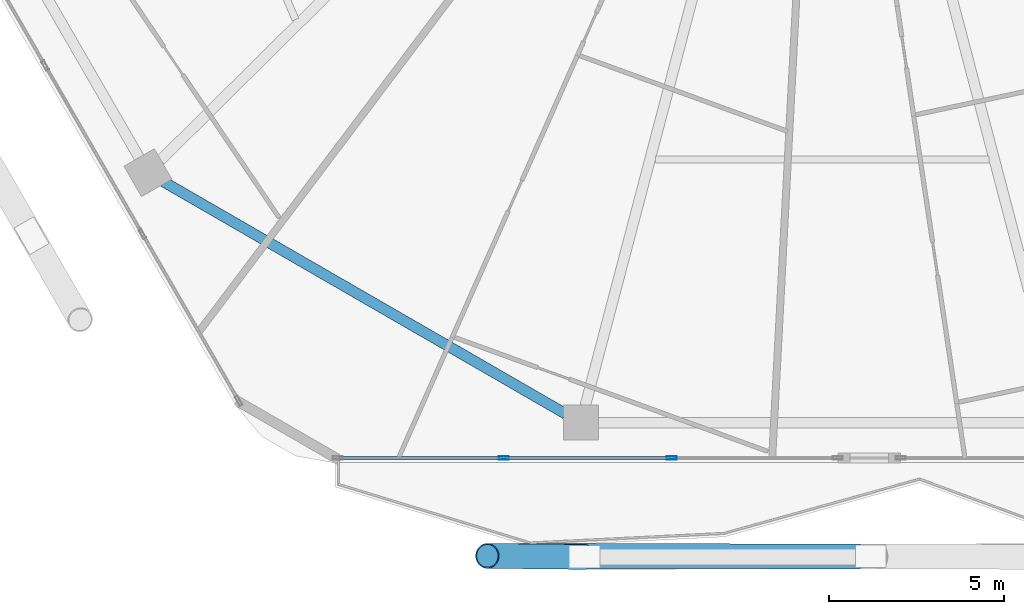
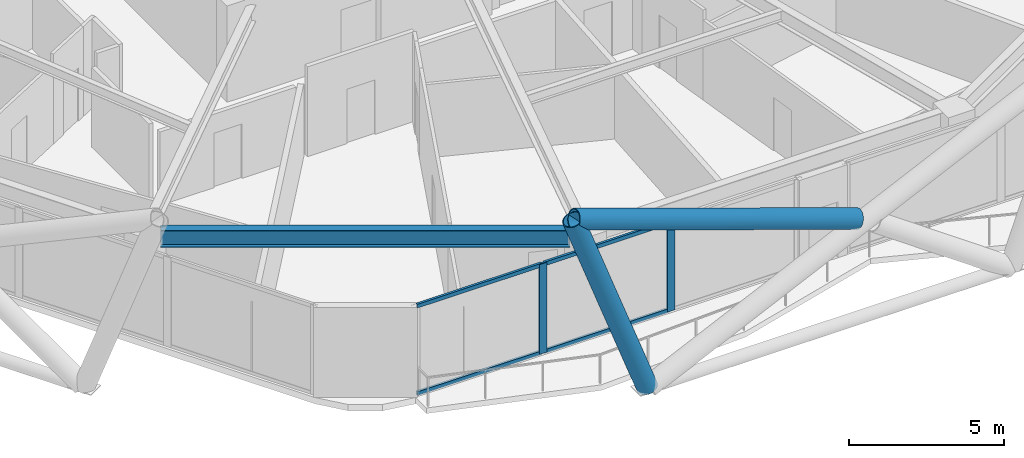
# One storey, part 3 of 29: 8 members, 1 beam, 1 element without a shape of its own.
"""IFC4 building model written with IfcOpenShell, lengths in metres."""

import ifcopenshell
import ifcopenshell.guid

model = None  # the IFC model being written
_history = None  # IfcOwnerHistory: only IFC2X3 demands one
_inside = {}  # id of a spatial element -> (the spatial element, [elements in it])
_under = {}  # id of a project, library or spatial element -> (it, [spatial elements below it])
_declared = {}  # id of a project -> (the project, [libraries it declares])
_typed = {}  # id of a type object -> (the type object, [elements of that type])
_made_of = {}  # id of a material, layer set ... -> (it, [elements and type objects made of it])


def new_model(schema):
    """Start an empty IFC model of exactly this schema.

    Asked for "IFC4X3", IfcOpenShell would pick the latest addendum, in which some entities
    have other attributes; the version numbers below select the first issue.
    IFC2X3 requires an IfcOwnerHistory on every rooted entity: one is made here for all.
    """
    global model, _history
    if schema == "IFC4X3":
        model = ifcopenshell.file(schema_version=(4, 3, 0, 0))
    else:
        model = ifcopenshell.file(schema=schema)
    _inside.clear()
    _under.clear()
    _declared.clear()
    _typed.clear()
    _made_of.clear()
    _history = None
    if model.schema == "IFC2X3":
        org = make("IfcOrganization", Name="unknown")
        user = make(
            "IfcPersonAndOrganization",
            ThePerson=make("IfcPerson", FamilyName="unknown"),
            TheOrganization=org,
        )
        app = make(
            "IfcApplication",
            ApplicationDeveloper=org,
            Version="unknown",
            ApplicationFullName="unknown",
            ApplicationIdentifier="unknown",
        )
        _history = make(
            "IfcOwnerHistory",
            OwningUser=user,
            OwningApplication=app,
            ChangeAction="ADDED",
            CreationDate=0,
        )
    return model


def make(cls, **values):
    """One entity of the class cls with the attributes given. An attribute that is None is left unset."""
    return model.create_entity(
        cls, **{name: value for name, value in values.items() if value is not None}
    )


def rooted(cls, **values):
    """An entity with a GlobalId (a new one), such as an element, a storey or a relation."""
    return make(cls, GlobalId=ifcopenshell.guid.new(), OwnerHistory=_history, **values)


def si_unit(unit_type, name, prefix=None):
    """IfcSIUnit, for example si_unit("LENGTHUNIT", "METRE", prefix="MILLI")."""
    return make("IfcSIUnit", UnitType=unit_type, Prefix=prefix, Name=name)


def assignment(units):
    """IfcUnitAssignment: the units of a project."""
    return None if units is None else make("IfcUnitAssignment", Units=units)


def point(xyz):
    """IfcCartesianPoint."""
    return None if xyz is None else make("IfcCartesianPoint", Coordinates=xyz)


def direction(xyz):
    """IfcDirection."""
    return None if xyz is None else make("IfcDirection", DirectionRatios=xyz)


def frame(location, z_axis=None, x_axis=None):
    """IfcAxis2Placement3D, a coordinate frame: its origin and axes. An axis left out is left unset."""
    return make(
        "IfcAxis2Placement3D",
        Location=point(location),
        Axis=direction(z_axis),
        RefDirection=direction(x_axis),
    )


def frame_2d(location, x_axis=None):
    """IfcAxis2Placement2D, a coordinate frame in the plane: its origin and x axis."""
    return make(
        "IfcAxis2Placement2D", Location=point(location), RefDirection=direction(x_axis)
    )


def origin():
    """The frame at (0, 0, 0) with its axes left unset."""
    return frame((0.0, 0.0, 0.0))


def origin_2d():
    """The frame at (0, 0) in the plane with its x axis left unset."""
    return frame_2d((0.0, 0.0))


def place(relative_to, where):
    """IfcLocalPlacement: puts the frame where relative to a parent placement (None: the world)."""
    return make(
        "IfcLocalPlacement", PlacementRelTo=relative_to, RelativePlacement=where
    )


def context(
    kind, dimensions, precision=None, world=None, true_north=None, identifier=None
):
    """IfcGeometricRepresentationContext, for example the 3D "Model" context."""
    return make(
        "IfcGeometricRepresentationContext",
        ContextIdentifier=identifier,
        ContextType=kind,
        CoordinateSpaceDimension=dimensions,
        Precision=precision,
        WorldCoordinateSystem=world,
        TrueNorth=true_north,
    )


def subcontext(parent, identifier, kind, view, scale=None):
    """IfcGeometricRepresentationSubContext, for example "Body" below "Model"."""
    return make(
        "IfcGeometricRepresentationSubContext",
        ContextIdentifier=identifier,
        ContextType=kind,
        ParentContext=parent,
        TargetScale=scale,
        TargetView=view,
    )


def project(units=None, contexts=None):
    """IfcProject with its units and contexts."""
    return rooted(
        "IfcProject",
        Name="project",
        RepresentationContexts=contexts,
        UnitsInContext=assignment(units),
    )


def spatial(cls, under=None, at=None, **own):
    """A site, building, storey or space (cls), placed at a placement, below another one or the project."""
    s = rooted(cls, ObjectPlacement=at, **own)
    if under is not None:
        _under.setdefault(under.id(), (under, []))[1].append(s)
    return s


def profile(cls, at=None, kind="AREA", **sizes):
    """A parametric profile (cls). Its sizes go by their IFC names, for example OverallWidth=200.0."""
    return make(cls, ProfileType=kind, Position=at, **sizes)


def hollow_rectangle(**sizes):
    """IfcRectangleHollowProfileDef."""
    return profile("IfcRectangleHollowProfileDef", **sizes)


def hollow_circle(**sizes):
    """IfcCircleHollowProfileDef."""
    return profile("IfcCircleHollowProfileDef", **sizes)


def i_section(**sizes):
    """IfcIShapeProfileDef."""
    return profile("IfcIShapeProfileDef", **sizes)


def extrude(swept, where, along, depth):
    """IfcExtrudedAreaSolid: the profile swept, set in the frame where, extruded along a direction by depth."""
    return make(
        "IfcExtrudedAreaSolid",
        SweptArea=swept,
        Position=where,
        ExtrudedDirection=direction(along),
        Depth=depth,
    )


def shape(context_of_items, identifier, shape_type, items):
    """IfcShapeRepresentation: the items that make up one representation, for example the "Body"."""
    return make(
        "IfcShapeRepresentation",
        ContextOfItems=context_of_items,
        RepresentationIdentifier=identifier,
        RepresentationType=shape_type,
        Items=items,
    )


def material(Name=None, Category=None):
    """IfcMaterial."""
    return make("IfcMaterial", Name=Name, Category=Category)


def material_profile(
    of_material, cross_section, Name=None, Category=None, Priority=None
):
    """IfcMaterialProfile: a cross section and its material."""
    return make(
        "IfcMaterialProfile",
        Name=Name,
        Material=of_material,
        Profile=cross_section,
        Priority=Priority,
        Category=Category,
    )


def profile_set(profiles, Name=None, composite=None):
    """IfcMaterialProfileSet."""
    return make(
        "IfcMaterialProfileSet",
        Name=Name,
        MaterialProfiles=profiles,
        CompositeProfile=composite,
    )


def made_of(thing, what):
    """Note that an element or type object is made of a material, layer set ...; save() writes the relation."""
    if what is not None:
        _made_of.setdefault(what.id(), (what, []))[1].append(thing)
    return thing


def type_object(cls, material=None, **own):
    """A type object (cls), such as IfcWallType, which elements share."""
    return made_of(rooted(cls, **own), material)


def element(
    cls,
    number,
    at=None,
    inside=None,
    cuts=None,
    type_object=None,
    material=None,
    context=None,
    identifier="Body",
    shape_type=None,
    held_by="IfcProductDefinitionShape",
    body=None,
    shapes=None,
    **own,
):
    """One element of the class cls, such as IfcWall. Its Tag is "e" and its number.

    at: its placement. inside: the storey or other place that contains it. cuts: it is an
    opening in that element (IfcRelVoidsElement). A single representation is given by context,
    identifier, shape_type and body (its items); several are given by shapes. held_by: the class
    of the entity that holds the representations. save() writes the other relations.
    """
    e = rooted(cls, Tag="e%d" % number, ObjectPlacement=at, **own)
    if body is not None:
        shapes = [shape(context, identifier, shape_type, body)]
    if shapes is not None:
        e.Representation = make(held_by, Representations=shapes)
    if inside is not None:
        _inside.setdefault(inside.id(), (inside, []))[1].append(e)
    if cuts is not None:
        rooted(
            "IfcRelVoidsElement", RelatingBuildingElement=cuts, RelatedOpeningElement=e
        )
    if type_object is not None:
        _typed.setdefault(type_object.id(), (type_object, []))[1].append(e)
    return made_of(e, material)


def aggregate(whole, parts):
    """IfcRelAggregates: a whole, such as a stair, and the parts it consists of."""
    return rooted("IfcRelAggregates", RelatingObject=whole, RelatedObjects=parts)


def save(model, path):
    """Write the relations noted so far, then the file.

    IfcRelAggregates (storeys below a building ...), IfcRelContainedInSpatialStructure (elements
    in a storey), IfcRelDefinesByType, IfcRelAssociatesMaterial and IfcRelDeclares: one each for
    every whole, place, type object, material and project.
    """
    for whole, parts in _under.values():
        aggregate(whole, parts)
    for where, things in _inside.values():
        rooted(
            "IfcRelContainedInSpatialStructure",
            RelatedElements=things,
            RelatingStructure=where,
        )
    for kind, things in _typed.values():
        rooted("IfcRelDefinesByType", RelatedObjects=things, RelatingType=kind)
    for what, things in _made_of.values():
        rooted("IfcRelAssociatesMaterial", RelatedObjects=things, RelatingMaterial=what)
    for by, libraries in _declared.values():
        rooted("IfcRelDeclares", RelatingContext=by, RelatedDefinitions=libraries)
    model.write(path)


model = new_model("IFC4")

# Units and contexts
model_context = context("Model", 3, precision=1e-05, world=origin(), true_north=direction((0.0, 1.0)))
body_context = subcontext(model_context, "Body", "Model", "MODEL_VIEW")
ifc_project = project(units=[si_unit("LENGTHUNIT", "METRE"), si_unit("AREAUNIT", "SQUARE_METRE"), si_unit("VOLUMEUNIT", "CUBIC_METRE"), si_unit("PLANEANGLEUNIT", "RADIAN"), si_unit("MASSUNIT", "GRAM", prefix="KILO")], contexts=[model_context])

# Site, building, storey
site_placement = place(None, origin())
site = spatial("IfcSite", under=ifc_project, at=site_placement, CompositionType="ELEMENT")
building_placement = place(site_placement, origin())
building = spatial("IfcBuilding", under=site, at=building_placement, Name="Zuhravey Tower", CompositionType="ELEMENT")
storey_placement = place(building_placement, frame((0.0, 0.0, 184.60009765625)))
storey = spatial("IfcBuildingStorey", under=building, at=storey_placement, Name="L46", CompositionType="ELEMENT", Elevation=184.60009765625)

# Curtain wall, members
ifc_material_1 = material(Name="Thermally broken anodised aluminium", Category="aluminium")
curtain_wall_type = type_object("IfcCurtainWallType", Name="Zone 1-2 Residential Curtain Wall CW3", PredefinedType="NOTDEFINED", material=ifc_material_1)
curtain_wall_placement = place(storey_placement, origin())
curtain_wall = element("IfcCurtainWall", 1, at=curtain_wall_placement, inside=storey, type_object=curtain_wall_type, Name="L46 CW3 CW-L46-F5-2", PredefinedType="NOTDEFINED")
ifc_material_2 = material(Name="Anodised aluminium", Category="aluminium")
ifc_material_profile_1 = material_profile(ifc_material_2, hollow_rectangle(XDim=0.090087890625, YDim=0.284912109375, WallThickness=0.0048828125, at=origin_2d()), Name="ALU-RHS-90x285x5")
ifc_profile_set_1 = profile_set([ifc_material_profile_1], Name="Anodised aluminium")
member_type_1 = type_object("IfcMemberType", Name="Curtain-Wall Mullion 90x180", PredefinedType="MULLION", material=ifc_profile_set_1)
member_1_placement = place(storey_placement, frame((31.708251953125, 4.81689453125, 0.0), z_axis=(0.0, 0.0, 1.0), x_axis=(0.0, -1.0, 0.0)))
member_1 = element("IfcMember", 2, at=member_1_placement, type_object=member_type_1, Name="CW3 mullion 2", PredefinedType="MULLION", context=body_context, shape_type="SweptSolid", body=[
    extrude(hollow_rectangle(XDim=0.090087890625, YDim=0.284912109375, WallThickness=0.0048828125, at=origin_2d()), origin(), (0.0, 0.0, 1.0), 3.5498046875),
])
member_2_placement = place(storey_placement, frame((26.923583984375, 4.81689453125, 0.0), z_axis=(0.0, 0.0, 1.0), x_axis=(0.0, -1.0, 0.0)))
member_2 = element("IfcMember", 3, at=member_2_placement, type_object=member_type_1, Name="CW3 mullion 3", PredefinedType="MULLION", context=body_context, shape_type="SweptSolid", body=[
    extrude(hollow_rectangle(XDim=0.090087890625, YDim=0.284912109375, WallThickness=0.0048828125, at=origin_2d()), origin(), (0.0, 0.0, 1.0), 3.5498046875),
])
ifc_material_profile_2 = material_profile(ifc_material_2, hollow_rectangle(XDim=0.090087890625, YDim=0.14990234375, WallThickness=0.0048828125, at=origin_2d()), Name="ALU-RHS-90x150x5")
ifc_profile_set_2 = profile_set([ifc_material_profile_2], Name="Anodised aluminium")
member_type_2 = type_object("IfcMemberType", Name="Curtain-Wall Transom 90x150", PredefinedType="USERDEFINED", material=ifc_profile_set_2)
member_3_placement = place(storey_placement, frame((31.6630859375, 4.81689453125, 0.044921875), z_axis=(-1.0, 0.0, 0.0), x_axis=(0.0, -1.0, 0.0)))
member_3 = element("IfcMember", 4, at=member_3_placement, type_object=member_type_2, Name="CW3 transom 2.1", ObjectType="TRANSOM", PredefinedType="USERDEFINED", context=body_context, shape_type="SweptSolid", body=[
    extrude(hollow_rectangle(XDim=0.090087890625, YDim=0.14990234375, WallThickness=0.0048828125, at=origin_2d()), origin(), (0.0, 0.0, 1.0), 4.694580078125),
])
member_4_placement = place(storey_placement, frame((31.6630859375, 4.81689453125, 3.5048828125), z_axis=(-1.0, 0.0, 0.0), x_axis=(0.0, -1.0, 0.0)))
member_4 = element("IfcMember", 5, at=member_4_placement, type_object=member_type_2, Name="CW3 transom 2.2", ObjectType="TRANSOM", PredefinedType="USERDEFINED", context=body_context, shape_type="SweptSolid", body=[
    extrude(hollow_rectangle(XDim=0.090087890625, YDim=0.14990234375, WallThickness=0.0048828125, at=origin_2d()), origin(), (0.0, 0.0, 1.0), 4.694580078125),
])
member_5_placement = place(storey_placement, frame((26.87841796875, 4.81689453125, 0.044921875), z_axis=(-1.0, 0.0, 0.0), x_axis=(0.0, -1.0, 0.0)))
member_5 = element("IfcMember", 6, at=member_5_placement, type_object=member_type_2, Name="CW3 transom 3.1", ObjectType="TRANSOM", PredefinedType="USERDEFINED", context=body_context, shape_type="SweptSolid", body=[
    extrude(hollow_rectangle(XDim=0.090087890625, YDim=0.14990234375, WallThickness=0.0048828125, at=origin_2d()), origin(), (0.0, 0.0, 1.0), 4.6494140625),
])
member_6_placement = place(storey_placement, frame((26.87841796875, 4.81689453125, 3.5048828125), z_axis=(-1.0, 0.0, 0.0), x_axis=(0.0, -1.0, 0.0)))
member_6 = element("IfcMember", 7, at=member_6_placement, type_object=member_type_2, Name="CW3 transom 3.2", ObjectType="TRANSOM", PredefinedType="USERDEFINED", context=body_context, shape_type="SweptSolid", body=[
    extrude(hollow_rectangle(XDim=0.090087890625, YDim=0.14990234375, WallThickness=0.0048828125, at=origin_2d()), origin(), (0.0, 0.0, 1.0), 4.6494140625),
])
aggregate(curtain_wall, [member_1, member_2, member_3, member_4, member_5, member_6])

# Members
ifc_material_3 = material(Name="Steel SM460", Category="steel")
ifc_material_profile_3 = material_profile(ifc_material_3, hollow_circle(Radius=0.355712890625, WallThickness=0.031982421875, at=origin_2d()), Name="CHS-711.2x32")
ifc_profile_set_3 = profile_set([ifc_material_profile_3], Name="Steel SM460")
member_type_3 = type_object("IfcMemberType", Name="Exoskeleton Zone 2 Diagrid CHS711x32", PredefinedType="BRACE", material=ifc_profile_set_3)
member_7_placement = place(storey_placement, frame((29.211669921875, 1.9970703125, -0.444091796875), z_axis=(-0.342856044852, 0.003700976595, 0.939380665801), x_axis=(-0.010793920789, -0.99994174394, 0.0)))
element("IfcMember", 8, at=member_7_placement, inside=storey, type_object=member_type_3, Name="L46 Face 5 Diagrid Brace 1", PredefinedType="BRACE", context=body_context, shape_type="SweptSolid", body=[
    extrude(hollow_circle(Radius=0.355712890625, WallThickness=0.031982421875, at=origin_2d()), origin(), (0.0, 0.0, 1.0), 8.0478515625),
])
member_8_placement = place(storey_placement, frame((37.060546875, 2.012451171875, 3.44921875), z_axis=(-0.944652786262, 0.001287230689, 0.328069286042), x_axis=(-0.00136264828, -0.999999071594, 0.0)))
element("IfcMember", 9, at=member_8_placement, inside=storey, type_object=member_type_3, Name="L46 Face 5 Split Diagrid Brace 3B", PredefinedType="BRACE", context=body_context, shape_type="SweptSolid", body=[
    extrude(hollow_circle(Radius=0.355712890625, WallThickness=0.031982421875, at=origin_2d()), origin(), (0.0, 0.0, 1.0), 11.190185546875),
])

# Beam
ifc_material_4 = material(Name="Steel SM355", Category="steel")
ifc_material_profile_4 = material_profile(ifc_material_4, i_section(OverallWidth=0.300048828125, OverallDepth=0.679931640625, WebThickness=0.012939453125, FlangeThickness=0.02197265625, at=origin_2d()), Name="H-680x300x13x22")
ifc_profile_set_4 = profile_set([ifc_material_profile_4], Name="Steel SM355")
beam_type = type_object("IfcBeamType", Name="Perimeter Ring Beam H680x300", PredefinedType="BEAM", material=ifc_profile_set_4)
beam_placement = place(storey_placement, frame((17.210205078125, 12.701904296875, 3.2099609375), z_axis=(0.866022923061, -0.500004296715, 0.0), x_axis=(0.500004296715, 0.866022923061, 0.0)))
element("IfcBeam", 10, at=beam_placement, inside=storey, type_object=beam_type, Name="L46 PB2 BM-L46-PB-08", PredefinedType="BEAM", context=body_context, shape_type="SweptSolid", body=[
    extrude(i_section(OverallWidth=0.300048828125, OverallDepth=0.679931640625, WebThickness=0.012939453125, FlangeThickness=0.02197265625, at=origin_2d()), origin(), (0.0, 0.0, 1.0), 13.2470703125),
])

save(model, "model.ifc")
